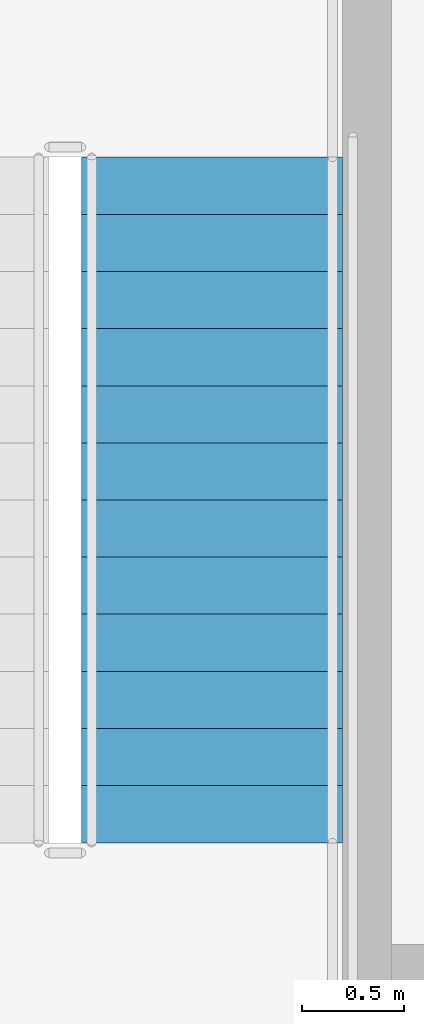
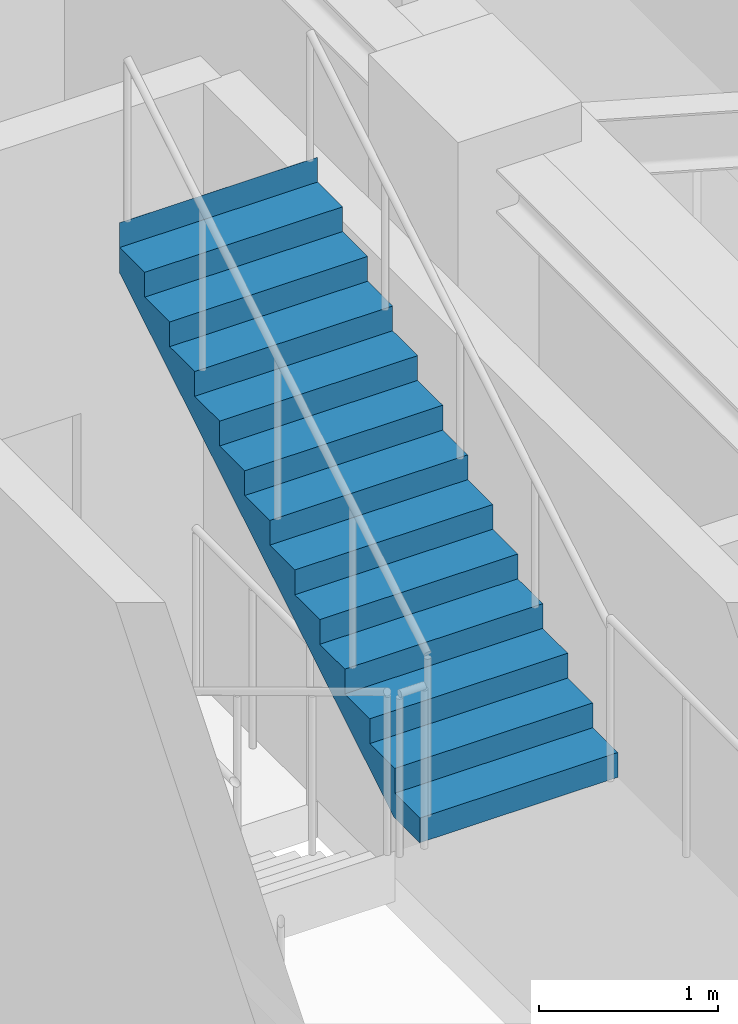
# One storey, part 11 of 14: 1 stair flight, 1 element without a shape of its own.
"""IFC4 building model written with IfcOpenShell, lengths in metres."""

from ifc_helpers import new_model, si_unit, direction, frame, origin, place, context, subcontext, project, spatial, polyline, outline, extrude, material, type_object, element, aggregate, save


model = new_model("IFC4")

# Units and contexts
model_context = context("Model", 3, precision=1e-05, world=origin(), true_north=direction((0.0, 1.0)))
body_context = subcontext(model_context, "Body", "Model", "MODEL_VIEW")
ifc_project = project(units=[si_unit("LENGTHUNIT", "METRE"), si_unit("AREAUNIT", "SQUARE_METRE"), si_unit("VOLUMEUNIT", "CUBIC_METRE"), si_unit("PLANEANGLEUNIT", "RADIAN"), si_unit("MASSUNIT", "GRAM", prefix="KILO")], contexts=[model_context])

# Site, building, storey
site_placement = place(None, origin())
site = spatial("IfcSite", under=ifc_project, at=site_placement, CompositionType="ELEMENT")
building_placement = place(site_placement, origin())
building = spatial("IfcBuilding", under=site, at=building_placement, Name="Ndelora Gate Hotel", CompositionType="ELEMENT")
storey_placement = place(building_placement, frame((0.0, 0.0, 281.60009765625)))
storey = spatial("IfcBuildingStorey", under=building, at=storey_placement, Name="L70", CompositionType="ELEMENT", Elevation=281.60009765625)

# Stair, stair flight
ifc_material = material(Name="Precast concrete C40/50", Category="concrete")
stair_type = type_object("IfcStairType", Name="STR-DOG-CORE", PredefinedType="HALF_TURN_STAIR", material=ifc_material)
stair_placement = place(storey_placement, origin())
stair = element("IfcStair", 1, at=stair_placement, inside=storey, type_object=stair_type, Name="L70 Protected Core Exit Stair ST5", PredefinedType="HALF_TURN_STAIR")
stair_flight_type = type_object("IfcStairFlightType", Name="STF-PRECAST", PredefinedType="STRAIGHT", material=ifc_material)
stair_flight_placement = place(storey_placement, frame((6.2099609375, -3.590087890625, 2.199951171875), z_axis=(0.0, 0.0, 1.0), x_axis=(0.0, 1.0, 0.0)))
stair_flight = element("IfcStairFlight", 2, at=stair_flight_placement, type_object=stair_flight_type, Name="ST5 flight 2", NumberOfRisers=13, NumberOfTreads=12, PredefinedType="STRAIGHT", RiserHeight=0.169230769, TreadLength=0.28, context=body_context, shape_type="SweptSolid", body=[
    extrude(outline(polyline([(-0.00048828125, 0.0), (-0.00048828125, 0.169189453125), (0.0, 0.169189453125), (0.280029296875, 0.169189453125), (0.280029296875, 0.33837890625), (0.56005859375, 0.33837890625), (0.56005859375, 0.5078125), (0.840087890625, 0.5078125), (0.840087890625, 0.677001953125), (1.1201171875, 0.677001953125), (1.1201171875, 0.84619140625), (1.39990234375, 0.84619140625), (1.39990234375, 1.015380859375), (1.679931640625, 1.015380859375), (1.679931640625, 1.1845703125), (1.9599609375, 1.1845703125), (1.9599609375, 1.353759765625), (2.239990234375, 1.353759765625), (2.239990234375, 1.523193359375), (2.52001953125, 1.523193359375), (2.52001953125, 1.6923828125), (2.800048828125, 1.6923828125), (2.800048828125, 1.861572265625), (3.080078125, 1.861572265625), (3.080078125, 2.03076171875), (3.360107421875, 2.03076171875), (3.360107421875, 2.199951171875), (3.360595703125, 2.199951171875), (3.360595703125, 2.02001953125), (3.360107421875, 1.855712890625), (0.289794921875, 0.0), (-0.00048828125, 0.0)])), frame((0.0, 0.64013671875, 0.0), z_axis=(0.0, -1.0, 0.0), x_axis=(1.0, 0.0, 0.0)), (0.0, 0.0, 1.0), 1.280029296875),
])
aggregate(stair, [stair_flight])

save(model, "model.ifc")
